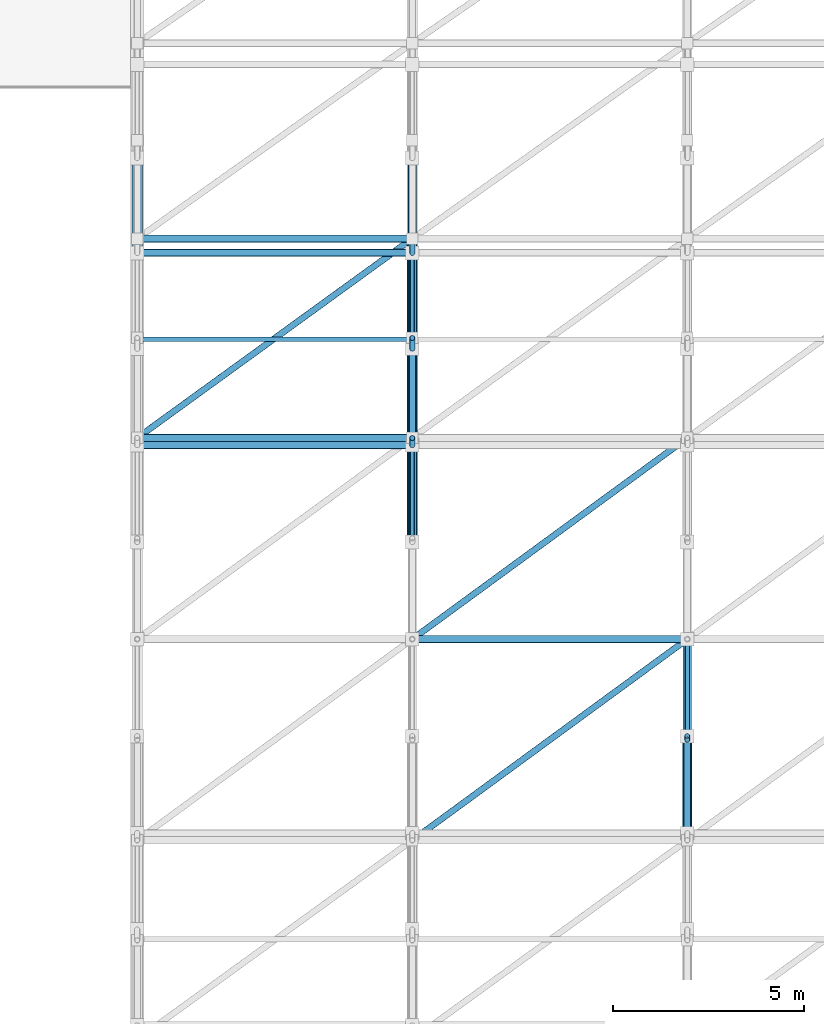
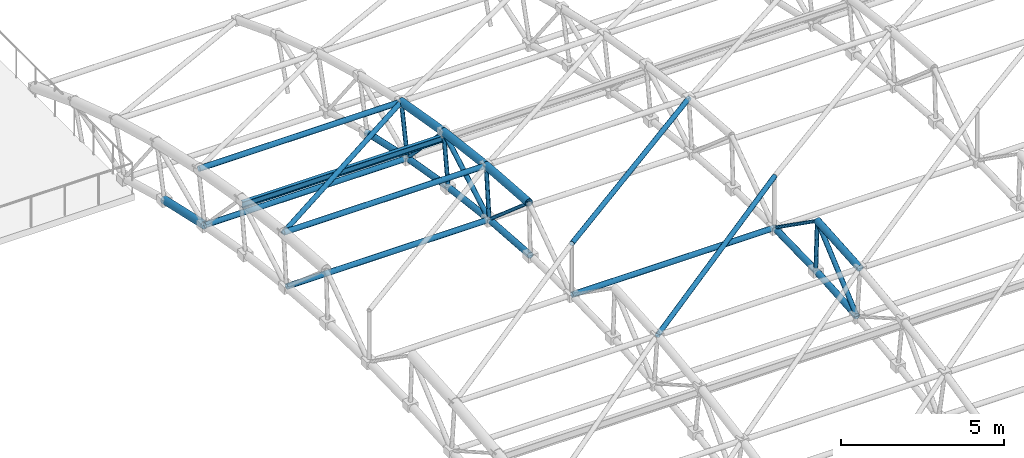
# One storey, part 15 of 41: 29 members.
"""IFC4 building model written with IfcOpenShell, lengths in metres."""

from ifc_helpers import new_model, si_unit, direction, frame, origin, origin_2d, place, context, subcontext, project, spatial, hollow_circle, i_section, extrude, material, material_profile, profile_set, type_object, element, save


model = new_model("IFC4")

# Units and contexts
model_context = context("Model", 3, precision=1e-05, world=origin(), true_north=direction((0.0, 1.0)))
body_context = subcontext(model_context, "Body", "Model", "MODEL_VIEW")
ifc_project = project(units=[si_unit("LENGTHUNIT", "METRE"), si_unit("AREAUNIT", "SQUARE_METRE"), si_unit("VOLUMEUNIT", "CUBIC_METRE"), si_unit("PLANEANGLEUNIT", "RADIAN"), si_unit("MASSUNIT", "GRAM", prefix="KILO")], contexts=[model_context])

# Site, building, storey
site_placement = place(None, origin())
site = spatial("IfcSite", under=ifc_project, at=site_placement, CompositionType="ELEMENT")
building_placement = place(site_placement, origin())
building = spatial("IfcBuilding", under=site, at=building_placement, Name="Malvenik Polytechnic", CompositionType="ELEMENT")
storey_placement = place(building_placement, frame((0.0, 0.0, 17.699951171875)))
storey = spatial("IfcBuildingStorey", under=building, at=storey_placement, Name="L04", CompositionType="ELEMENT", Elevation=17.699951171875)

# Members
ifc_material_1 = material(Name="Steel S355J2H", Category="steel")
ifc_material_profile_1 = material_profile(ifc_material_1, hollow_circle(Radius=0.136474609375, WallThickness=0.010009765625, at=origin_2d()), Name="CHS 273.0x10.0")
ifc_profile_set_1 = profile_set([ifc_material_profile_1], Name="Steel S355J2H")
member_type_1 = type_object("IfcMemberType", Name="STR-MEM-SFB-01", PredefinedType="CHORD", material=ifc_profile_set_1)
member_1_placement = place(storey_placement, frame((134.39990234375, 74.913330078125, 1.41064453125), z_axis=(0.0, 0.975880203116, -0.21830673184), x_axis=(-1.0, 0.0, 0.0)))
element("IfcMember", 1, at=member_1_placement, inside=storey, type_object=member_type_1, Name="Space-Frame Tube SFB-01 STR-SF-BC-0033", PredefinedType="CHORD", context=body_context, shape_type="SweptSolid", body=[
    extrude(hollow_circle(Radius=0.136474609375, WallThickness=0.010009765625, at=origin_2d()), origin(), (0.0, 0.0, 1.0), 2.53515625),
])
ifc_material_profile_2 = material_profile(ifc_material_1, hollow_circle(Radius=0.109619140625, WallThickness=0.010009765625, at=origin_2d()), Name="CHS 219.1x10.0")
ifc_profile_set_2 = profile_set([ifc_material_profile_2], Name="Steel S355J2H")
member_type_2 = type_object("IfcMemberType", Name="STR-MEM-SFB-02", PredefinedType="CHORD", material=ifc_profile_set_2)
member_2_placement = place(storey_placement, frame((141.60009765625, 67.3466796875, 2.34130859375), z_axis=(0.0, 0.997310938626, -0.073286367738), x_axis=(-1.0, 0.0, 0.0)))
element("IfcMember", 2, at=member_2_placement, inside=storey, type_object=member_type_2, Name="Space-Frame Tube SFB-02 STR-SF-BC-0124", PredefinedType="CHORD", context=body_context, shape_type="SweptSolid", body=[
    extrude(hollow_circle(Radius=0.109619140625, WallThickness=0.010009765625, at=origin_2d()), origin(), (0.0, 0.0, 1.0), 2.53515625),
])
for number, where, z_axis, x_axis, name in (
    (3, (141.60009765625, 69.883056640625, 2.15478515625), (0.0, 0.992529141181, -0.122007802646), (-1.0, 0.0, 0.0), "Space-Frame Tube SFB-02 STR-SF-BC-0126"),
    (4, (141.60009765625, 72.4072265625, 1.84423828125), (0.0, 0.985384405638, -0.170345452318), (-1.0, 0.0, 0.0), "Space-Frame Tube SFB-02 STR-SF-BC-0128"),
):
    element("IfcMember", number, at=place(storey_placement, frame(where, z_axis=z_axis, x_axis=x_axis)), inside=storey, type_object=member_type_2, Name=name, PredefinedType="CHORD", context=body_context, shape_type="SweptSolid", body=[
        extrude(hollow_circle(Radius=0.109619140625, WallThickness=0.010009765625, at=origin_2d()), origin(), (0.0, 0.0, 1.0), 2.535400390625),
    ])
member_3_placement = place(storey_placement, frame((141.60009765625, 74.913330078125, 1.41064453125), z_axis=(0.0, 0.975880203116, -0.21830673184), x_axis=(-1.0, 0.0, 0.0)))
element("IfcMember", 5, at=member_3_placement, inside=storey, type_object=member_type_2, Name="Space-Frame Tube SFB-02 STR-SF-BC-0130", PredefinedType="CHORD", context=body_context, shape_type="SweptSolid", body=[
    extrude(hollow_circle(Radius=0.109619140625, WallThickness=0.010009765625, at=origin_2d()), origin(), (0.0, 0.0, 1.0), 2.53515625),
])
ifc_material_profile_3 = material_profile(ifc_material_1, hollow_circle(Radius=0.109619140625, WallThickness=0.008056640625, at=origin_2d()), Name="CHS 219.1x8.0")
ifc_profile_set_3 = profile_set([ifc_material_profile_3], Name="Steel S355J2H")
member_type_3 = type_object("IfcMemberType", Name="STR-MEM-SFB-03", PredefinedType="CHORD", material=ifc_profile_set_3)
for number, where, z_axis, x_axis, name in (
    (6, (148.800048828125, 59.72509765625, 2.155517578125), (0.0, 0.997310938626, 0.073286367738), (-1.0, 0.0, 0.0), "Space-Frame Tube SFB-03 STR-SF-BC-0215"),
    (7, (148.800048828125, 62.261474609375, 2.341796875), (0.0, 0.999700798264, 0.024460456869), (-1.0, 0.0, 0.0), "Space-Frame Tube SFB-03 STR-SF-BC-0217"),
):
    element("IfcMember", number, at=place(storey_placement, frame(where, z_axis=z_axis, x_axis=x_axis)), inside=storey, type_object=member_type_3, Name=name, PredefinedType="CHORD", context=body_context, shape_type="SweptSolid", body=[
        extrude(hollow_circle(Radius=0.109619140625, WallThickness=0.008056640625, at=origin_2d()), origin(), (0.0, 0.0, 1.0), 2.53515625),
    ])
ifc_material_profile_4 = material_profile(ifc_material_1, hollow_circle(Radius=0.084228515625, WallThickness=0.00634765625, at=origin_2d()), Name="CHS 168.3x6.3")
ifc_profile_set_4 = profile_set([ifc_material_profile_4], Name="Steel S355J2H")
member_type_4 = type_object("IfcMemberType", Name="STR-MEM-SFD-02", PredefinedType="BRACE", material=ifc_profile_set_4)
for number, where, z_axis, x_axis, name in (
    (8, (141.60009765625, 69.882568359375, 2.1572265625), (0.0, 0.869477287163, 0.493972921432), (-1.0, 0.0, 0.0), "Space-Frame Tube SFD-02 STR-SF-AD-0185"),
    (9, (148.800048828125, 59.72412109375, 2.157958984375), (0.0, 0.756869052153, 0.653566552), (-1.0, 0.0, 0.0), "Space-Frame Tube SFD-02 STR-SF-AD-0278"),
):
    element("IfcMember", number, at=place(storey_placement, frame(where, z_axis=z_axis, x_axis=x_axis)), inside=storey, type_object=member_type_4, Name=name, PredefinedType="BRACE", context=body_context, shape_type="SweptSolid", body=[
        extrude(hollow_circle(Radius=0.084228515625, WallThickness=0.00634765625, at=origin_2d()), origin(), (0.0, 0.0, 1.0), 3.218994140625),
    ])
for number, where, z_axis, x_axis, name in (
    (10, (134.4033203125, 70.0693359375, 4.07080078125), (0.806743307395, 0.584549377871, -0.086413313811), (-0.586744168683, 0.809772363394, 0.0), "Space-Frame Tube SFD-02 STR-SF-SD-0810"),
    (11, (141.603271484375, 59.535400390625, 4.071044921875), (0.806768013469, 0.590160453498, 0.028913864661), (-0.590407298766, 0.807105458762, 0.0), "Space-Frame Tube SFD-02 STR-SF-SD-0850"),
    (12, (141.603271484375, 64.802490234375, 4.328857421875), (0.806768013469, 0.590160453498, -0.028913864661), (-0.590407298766, 0.807105458762, 0.0), "Space-Frame Tube SFD-02 STR-SF-SD-0851"),
):
    element("IfcMember", number, at=place(storey_placement, frame(where, z_axis=z_axis, x_axis=x_axis)), inside=storey, type_object=member_type_4, Name=name, PredefinedType="BRACE", context=body_context, shape_type="SweptSolid", body=[
        extrude(hollow_circle(Radius=0.084228515625, WallThickness=0.00634765625, at=origin_2d()), origin(), (0.0, 0.0, 1.0), 8.91650390625),
    ])
ifc_material_profile_5 = material_profile(ifc_material_1, hollow_circle(Radius=0.06982421875, WallThickness=0.00634765625, at=origin_2d()), Name="CHS 139.7x6.3")
ifc_profile_set_5 = profile_set([ifc_material_profile_5], Name="Steel S355J2H")
member_type_5 = type_object("IfcMemberType", Name="STR-MEM-SFD-03", PredefinedType="BRACE", material=ifc_profile_set_5)
member_4_placement = place(storey_placement, frame((141.60009765625, 69.87939453125, 2.1591796875), z_axis=(0.0, 0.09767529924, 0.995218335803), x_axis=(-1.0, 0.0, 0.0)))
element("IfcMember", 13, at=member_4_placement, inside=storey, type_object=member_type_5, Name="Space-Frame Tube SFD-03 STR-SF-WB-0160", PredefinedType="BRACE", context=body_context, shape_type="SweptSolid", body=[
    extrude(hollow_circle(Radius=0.06982421875, WallThickness=0.00634765625, at=origin_2d()), origin(), (0.0, 0.0, 1.0), 1.917236328125),
])
member_5_placement = place(storey_placement, frame((141.60009765625, 72.40380859375, 1.848876953125), z_axis=(0.0, 0.146197883622, 0.989255365831), x_axis=(-1.0, 0.0, 0.0)))
element("IfcMember", 14, at=member_5_placement, inside=storey, type_object=member_type_5, Name="Space-Frame Tube SFD-03 STR-SF-WB-0161", PredefinedType="BRACE", context=body_context, shape_type="SweptSolid", body=[
    extrude(hollow_circle(Radius=0.06982421875, WallThickness=0.00634765625, at=origin_2d()), origin(), (0.0, 0.0, 1.0), 1.9169921875),
])
member_6_placement = place(storey_placement, frame((141.60009765625, 74.910400390625, 1.41552734375), z_axis=(0.0, 0.194328084871, 0.980936590933), x_axis=(-1.0, 0.0, 0.0)))
element("IfcMember", 15, at=member_6_placement, inside=storey, type_object=member_type_5, Name="Space-Frame Tube SFD-03 STR-SF-WB-0162", PredefinedType="BRACE", context=body_context, shape_type="SweptSolid", body=[
    extrude(hollow_circle(Radius=0.06982421875, WallThickness=0.00634765625, at=origin_2d()), origin(), (0.0, 0.0, 1.0), 1.917236328125),
])
member_7_placement = place(storey_placement, frame((148.800048828125, 62.257080078125, 2.345703125), z_axis=(0.0, -0.048781437095, 0.998809477025), x_axis=(1.0, 0.0, 0.0)))
element("IfcMember", 16, at=member_7_placement, inside=storey, type_object=member_type_5, Name="Space-Frame Tube SFD-03 STR-SF-WB-0254", PredefinedType="BRACE", context=body_context, shape_type="SweptSolid", body=[
    extrude(hollow_circle(Radius=0.06982421875, WallThickness=0.00634765625, at=origin_2d()), origin(), (0.0, 0.0, 1.0), 1.916748046875),
])
ifc_material_profile_6 = material_profile(ifc_material_1, hollow_circle(Radius=0.05712890625, WallThickness=0.0048828125, at=origin_2d()), Name="CHS 114.3x5.0")
ifc_profile_set_6 = profile_set([ifc_material_profile_6], Name="Steel S355J2H")
member_type_6 = type_object("IfcMemberType", Name="STR-MEM-SFD-04", PredefinedType="BRACE", material=ifc_profile_set_6)
for number, where, z_axis, x_axis, name in (
    (17, (141.60009765625, 67.439697265625, 4.26171875), (0.0, 0.756869052153, -0.653566552), (-1.0, 0.0, 0.0), "Space-Frame Tube SFD-04 STR-SF-AD-0184"),
    (18, (141.60009765625, 72.6875, 3.746337890625), (0.0, 0.689408937301, -0.724372360854), (-1.0, 0.0, 0.0), "Space-Frame Tube SFD-04 STR-SF-AD-0186"),
    (19, (148.800048828125, 62.16650390625, 4.261962890625), (0.0, 0.817091860907, -0.576507494175), (-1.0, 0.0, 0.0), "Space-Frame Tube SFD-04 STR-SF-AD-0279"),
):
    element("IfcMember", number, at=place(storey_placement, frame(where, z_axis=z_axis, x_axis=x_axis)), inside=storey, type_object=member_type_6, Name=name, PredefinedType="BRACE", context=body_context, shape_type="SweptSolid", body=[
        extrude(hollow_circle(Radius=0.05712890625, WallThickness=0.0048828125, at=origin_2d()), origin(), (0.0, 0.0, 1.0), 3.218994140625),
    ])
ifc_material_profile_7 = material_profile(ifc_material_1, hollow_circle(Radius=0.096923828125, WallThickness=0.008056640625, at=origin_2d()), Name="CHS 193.7x8.0")
ifc_profile_set_7 = profile_set([ifc_material_profile_7], Name="Steel S355J2H")
member_type_7 = type_object("IfcMemberType", Name="STR-MEM-SFL-01", PredefinedType="CHORD", material=ifc_profile_set_7)
for number, where, z_axis, x_axis, name in (
    (20, (134.404052734375, 69.87890625, 2.1552734375), (1.0, 0.0, 0.0), (0.0, 1.0, 0.0), "Space-Frame Tube SFL-01 STR-SF-LB-0791"),
    (21, (134.404052734375, 70.06689453125, 4.071044921875), (1.0, 0.0, 0.0), (0.0, 1.0, 0.0), "Space-Frame Tube SFL-01 STR-SF-LT-0792"),
    (22, (134.404052734375, 74.909423828125, 1.41162109375), (1.0, 0.0, 0.0), (0.0, 1.0, 0.0), "Space-Frame Tube SFL-01 STR-SF-LB-0793"),
    (23, (134.404052734375, 75.28369140625, 3.300048828125), (1.0, 0.0, 0.0), (0.0, 1.0, 0.0), "Space-Frame Tube SFL-01 STR-SF-LT-0794"),
    (24, (141.60400390625, 64.800048828125, 2.40380859375), (1.0, 0.0, 0.0), (0.0, 1.0, 0.0), "Space-Frame Tube SFL-01 STR-SF-LB-0831"),
):
    element("IfcMember", number, at=place(storey_placement, frame(where, z_axis=z_axis, x_axis=x_axis)), inside=storey, type_object=member_type_7, Name=name, PredefinedType="CHORD", context=body_context, shape_type="SweptSolid", body=[
        extrude(hollow_circle(Radius=0.096923828125, WallThickness=0.008056640625, at=origin_2d()), origin(), (0.0, 0.0, 1.0), 7.19189453125),
    ])
ifc_material_2 = material(Name="Steel S355", Category="steel")
ifc_material_profile_8 = material_profile(ifc_material_2, i_section(OverallWidth=0.1201171875, OverallDepth=0.239990234375, WebThickness=0.006103515625, FlangeThickness=0.009765625, FilletRadius=0.014892578125, at=origin_2d()), Name="IPE 240")
ifc_profile_set_8 = profile_set([ifc_material_profile_8], Name="Steel S355")
member_type_8 = type_object("IfcMemberType", Name="STR-MEM-SFP-01", PredefinedType="PURLIN", material=ifc_profile_set_8)
member_8_placement = place(storey_placement, frame((134.419921875, 72.65478515625, 3.54638671875), z_axis=(1.0, 0.0, 0.0), x_axis=(0.0, 1.0, 0.0)))
element("IfcMember", 25, at=member_8_placement, inside=storey, type_object=member_type_8, Name="Vault Roof Purlin SFP-01 #817", PredefinedType="PURLIN", context=body_context, shape_type="SweptSolid", body=[
    extrude(i_section(OverallWidth=0.1201171875, OverallDepth=0.239990234375, WebThickness=0.006103515625, FlangeThickness=0.009765625, FilletRadius=0.014892578125, at=origin_2d()), origin(), (0.0, 0.0, 1.0), 7.16015625),
])
ifc_material_profile_9 = material_profile(ifc_material_1, hollow_circle(Radius=0.136474609375, WallThickness=0.012451171875, at=origin_2d()), Name="CHS 273.0x12.5")
ifc_profile_set_9 = profile_set([ifc_material_profile_9], Name="Steel S355J2H")
member_type_9 = type_object("IfcMemberType", Name="STR-MEM-SFT-02", PredefinedType="CHORD", material=ifc_profile_set_9)
for number, where, z_axis, x_axis, name in (
    (26, (141.60009765625, 67.440673828125, 4.26416015625), (0.0, 0.997306127173, -0.073351814586), (-1.0, 0.0, 0.0), "Space-Frame Tube SFT-02 STR-SF-TC-0125"),
    (27, (141.60009765625, 70.071044921875, 4.070556640625), (0.0, 0.99253004874, -0.122000419462), (-1.0, 0.0, 0.0), "Space-Frame Tube SFT-02 STR-SF-TC-0127"),
    (28, (141.60009765625, 72.688720703125, 3.74853515625), (0.0, 0.985379595625, -0.170373274095), (-1.0, 0.0, 0.0), "Space-Frame Tube SFT-02 STR-SF-TC-0129"),
):
    element("IfcMember", number, at=place(storey_placement, frame(where, z_axis=z_axis, x_axis=x_axis)), inside=storey, type_object=member_type_9, Name=name, PredefinedType="CHORD", context=body_context, shape_type="SweptSolid", body=[
        extrude(hollow_circle(Radius=0.136474609375, WallThickness=0.012451171875, at=origin_2d()), origin(), (0.0, 0.0, 1.0), 2.62939453125),
    ])
ifc_material_profile_10 = material_profile(ifc_material_1, hollow_circle(Radius=0.122314453125, WallThickness=0.010009765625, at=origin_2d()), Name="CHS 244.5x10.0")
ifc_profile_set_10 = profile_set([ifc_material_profile_10], Name="Steel S355J2H")
member_type_10 = type_object("IfcMemberType", Name="STR-MEM-SFT-03", PredefinedType="CHORD", material=ifc_profile_set_10)
member_9_placement = place(storey_placement, frame((148.800048828125, 59.537109375, 4.0712890625), z_axis=(0.0, 0.997305627523, 0.073358607611), x_axis=(-1.0, 0.0, 0.0)))
element("IfcMember", 29, at=member_9_placement, inside=storey, type_object=member_type_10, Name="Space-Frame Tube SFT-03 STR-SF-TC-0216", PredefinedType="CHORD", context=body_context, shape_type="SweptSolid", body=[
    extrude(hollow_circle(Radius=0.122314453125, WallThickness=0.010009765625, at=origin_2d()), origin(), (0.0, 0.0, 1.0), 2.629150390625),
])

save(model, "model.ifc")
